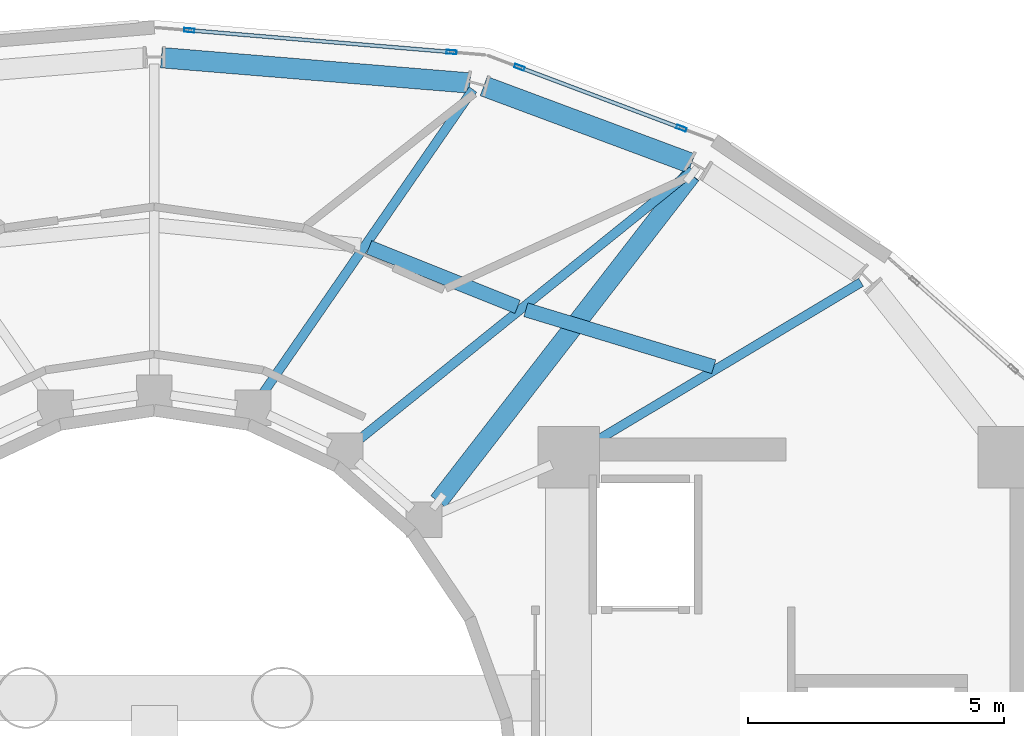
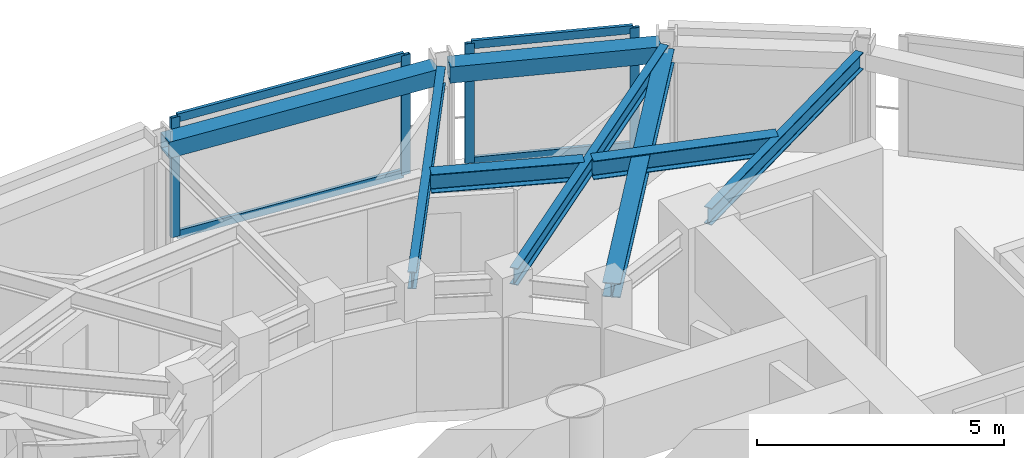
# One storey, part 11 of 17: 9 members, 7 beams, 2 elements without a shape of their own.
"""IFC4 building model written with IfcOpenShell, lengths in metres."""

import ifcopenshell
import ifcopenshell.guid

model = None  # the IFC model being written
_history = None  # IfcOwnerHistory: only IFC2X3 demands one
_inside = {}  # id of a spatial element -> (the spatial element, [elements in it])
_under = {}  # id of a project, library or spatial element -> (it, [spatial elements below it])
_declared = {}  # id of a project -> (the project, [libraries it declares])
_typed = {}  # id of a type object -> (the type object, [elements of that type])
_made_of = {}  # id of a material, layer set ... -> (it, [elements and type objects made of it])


def new_model(schema):
    """Start an empty IFC model of exactly this schema.

    Asked for "IFC4X3", IfcOpenShell would pick the latest addendum, in which some entities
    have other attributes; the version numbers below select the first issue.
    IFC2X3 requires an IfcOwnerHistory on every rooted entity: one is made here for all.
    """
    global model, _history
    if schema == "IFC4X3":
        model = ifcopenshell.file(schema_version=(4, 3, 0, 0))
    else:
        model = ifcopenshell.file(schema=schema)
    _inside.clear()
    _under.clear()
    _declared.clear()
    _typed.clear()
    _made_of.clear()
    _history = None
    if model.schema == "IFC2X3":
        org = make("IfcOrganization", Name="unknown")
        user = make(
            "IfcPersonAndOrganization",
            ThePerson=make("IfcPerson", FamilyName="unknown"),
            TheOrganization=org,
        )
        app = make(
            "IfcApplication",
            ApplicationDeveloper=org,
            Version="unknown",
            ApplicationFullName="unknown",
            ApplicationIdentifier="unknown",
        )
        _history = make(
            "IfcOwnerHistory",
            OwningUser=user,
            OwningApplication=app,
            ChangeAction="ADDED",
            CreationDate=0,
        )
    return model


def make(cls, **values):
    """One entity of the class cls with the attributes given. An attribute that is None is left unset."""
    return model.create_entity(
        cls, **{name: value for name, value in values.items() if value is not None}
    )


def rooted(cls, **values):
    """An entity with a GlobalId (a new one), such as an element, a storey or a relation."""
    return make(cls, GlobalId=ifcopenshell.guid.new(), OwnerHistory=_history, **values)


def si_unit(unit_type, name, prefix=None):
    """IfcSIUnit, for example si_unit("LENGTHUNIT", "METRE", prefix="MILLI")."""
    return make("IfcSIUnit", UnitType=unit_type, Prefix=prefix, Name=name)


def assignment(units):
    """IfcUnitAssignment: the units of a project."""
    return None if units is None else make("IfcUnitAssignment", Units=units)


def point(xyz):
    """IfcCartesianPoint."""
    return None if xyz is None else make("IfcCartesianPoint", Coordinates=xyz)


def direction(xyz):
    """IfcDirection."""
    return None if xyz is None else make("IfcDirection", DirectionRatios=xyz)


def frame(location, z_axis=None, x_axis=None):
    """IfcAxis2Placement3D, a coordinate frame: its origin and axes. An axis left out is left unset."""
    return make(
        "IfcAxis2Placement3D",
        Location=point(location),
        Axis=direction(z_axis),
        RefDirection=direction(x_axis),
    )


def frame_2d(location, x_axis=None):
    """IfcAxis2Placement2D, a coordinate frame in the plane: its origin and x axis."""
    return make(
        "IfcAxis2Placement2D", Location=point(location), RefDirection=direction(x_axis)
    )


def origin():
    """The frame at (0, 0, 0) with its axes left unset."""
    return frame((0.0, 0.0, 0.0))


def origin_2d():
    """The frame at (0, 0) in the plane with its x axis left unset."""
    return frame_2d((0.0, 0.0))


def place(relative_to, where):
    """IfcLocalPlacement: puts the frame where relative to a parent placement (None: the world)."""
    return make(
        "IfcLocalPlacement", PlacementRelTo=relative_to, RelativePlacement=where
    )


def context(
    kind, dimensions, precision=None, world=None, true_north=None, identifier=None
):
    """IfcGeometricRepresentationContext, for example the 3D "Model" context."""
    return make(
        "IfcGeometricRepresentationContext",
        ContextIdentifier=identifier,
        ContextType=kind,
        CoordinateSpaceDimension=dimensions,
        Precision=precision,
        WorldCoordinateSystem=world,
        TrueNorth=true_north,
    )


def subcontext(parent, identifier, kind, view, scale=None):
    """IfcGeometricRepresentationSubContext, for example "Body" below "Model"."""
    return make(
        "IfcGeometricRepresentationSubContext",
        ContextIdentifier=identifier,
        ContextType=kind,
        ParentContext=parent,
        TargetScale=scale,
        TargetView=view,
    )


def project(units=None, contexts=None):
    """IfcProject with its units and contexts."""
    return rooted(
        "IfcProject",
        Name="project",
        RepresentationContexts=contexts,
        UnitsInContext=assignment(units),
    )


def spatial(cls, under=None, at=None, **own):
    """A site, building, storey or space (cls), placed at a placement, below another one or the project."""
    s = rooted(cls, ObjectPlacement=at, **own)
    if under is not None:
        _under.setdefault(under.id(), (under, []))[1].append(s)
    return s


def profile(cls, at=None, kind="AREA", **sizes):
    """A parametric profile (cls). Its sizes go by their IFC names, for example OverallWidth=200.0."""
    return make(cls, ProfileType=kind, Position=at, **sizes)


def hollow_rectangle(**sizes):
    """IfcRectangleHollowProfileDef."""
    return profile("IfcRectangleHollowProfileDef", **sizes)


def i_section(**sizes):
    """IfcIShapeProfileDef."""
    return profile("IfcIShapeProfileDef", **sizes)


def extrude(swept, where, along, depth):
    """IfcExtrudedAreaSolid: the profile swept, set in the frame where, extruded along a direction by depth."""
    return make(
        "IfcExtrudedAreaSolid",
        SweptArea=swept,
        Position=where,
        ExtrudedDirection=direction(along),
        Depth=depth,
    )


def shape(context_of_items, identifier, shape_type, items):
    """IfcShapeRepresentation: the items that make up one representation, for example the "Body"."""
    return make(
        "IfcShapeRepresentation",
        ContextOfItems=context_of_items,
        RepresentationIdentifier=identifier,
        RepresentationType=shape_type,
        Items=items,
    )


def material(Name=None, Category=None):
    """IfcMaterial."""
    return make("IfcMaterial", Name=Name, Category=Category)


def layer(
    of_material, thickness, ventilated=None, Name=None, Category=None, Priority=None
):
    """IfcMaterialLayer: one layer of a wall or slab, of a material (None: an air gap)."""
    return make(
        "IfcMaterialLayer",
        Material=of_material,
        LayerThickness=thickness,
        IsVentilated=ventilated,
        Name=Name,
        Category=Category,
        Priority=Priority,
    )


def layer_set(layers, Name=None):
    """IfcMaterialLayerSet."""
    return make("IfcMaterialLayerSet", MaterialLayers=layers, LayerSetName=Name)


def material_profile(
    of_material, cross_section, Name=None, Category=None, Priority=None
):
    """IfcMaterialProfile: a cross section and its material."""
    return make(
        "IfcMaterialProfile",
        Name=Name,
        Material=of_material,
        Profile=cross_section,
        Priority=Priority,
        Category=Category,
    )


def profile_set(profiles, Name=None, composite=None):
    """IfcMaterialProfileSet."""
    return make(
        "IfcMaterialProfileSet",
        Name=Name,
        MaterialProfiles=profiles,
        CompositeProfile=composite,
    )


def made_of(thing, what):
    """Note that an element or type object is made of a material, layer set ...; save() writes the relation."""
    if what is not None:
        _made_of.setdefault(what.id(), (what, []))[1].append(thing)
    return thing


def type_object(cls, material=None, **own):
    """A type object (cls), such as IfcWallType, which elements share."""
    return made_of(rooted(cls, **own), material)


def element(
    cls,
    number,
    at=None,
    inside=None,
    cuts=None,
    type_object=None,
    material=None,
    context=None,
    identifier="Body",
    shape_type=None,
    held_by="IfcProductDefinitionShape",
    body=None,
    shapes=None,
    **own,
):
    """One element of the class cls, such as IfcWall. Its Tag is "e" and its number.

    at: its placement. inside: the storey or other place that contains it. cuts: it is an
    opening in that element (IfcRelVoidsElement). A single representation is given by context,
    identifier, shape_type and body (its items); several are given by shapes. held_by: the class
    of the entity that holds the representations. save() writes the other relations.
    """
    e = rooted(cls, Tag="e%d" % number, ObjectPlacement=at, **own)
    if body is not None:
        shapes = [shape(context, identifier, shape_type, body)]
    if shapes is not None:
        e.Representation = make(held_by, Representations=shapes)
    if inside is not None:
        _inside.setdefault(inside.id(), (inside, []))[1].append(e)
    if cuts is not None:
        rooted(
            "IfcRelVoidsElement", RelatingBuildingElement=cuts, RelatedOpeningElement=e
        )
    if type_object is not None:
        _typed.setdefault(type_object.id(), (type_object, []))[1].append(e)
    return made_of(e, material)


def aggregate(whole, parts):
    """IfcRelAggregates: a whole, such as a stair, and the parts it consists of."""
    return rooted("IfcRelAggregates", RelatingObject=whole, RelatedObjects=parts)


def save(model, path):
    """Write the relations noted so far, then the file.

    IfcRelAggregates (storeys below a building ...), IfcRelContainedInSpatialStructure (elements
    in a storey), IfcRelDefinesByType, IfcRelAssociatesMaterial and IfcRelDeclares: one each for
    every whole, place, type object, material and project.
    """
    for whole, parts in _under.values():
        aggregate(whole, parts)
    for where, things in _inside.values():
        rooted(
            "IfcRelContainedInSpatialStructure",
            RelatedElements=things,
            RelatingStructure=where,
        )
    for kind, things in _typed.values():
        rooted("IfcRelDefinesByType", RelatedObjects=things, RelatingType=kind)
    for what, things in _made_of.values():
        rooted("IfcRelAssociatesMaterial", RelatedObjects=things, RelatingMaterial=what)
    for by, libraries in _declared.values():
        rooted("IfcRelDeclares", RelatingContext=by, RelatedDefinitions=libraries)
    model.write(path)


model = new_model("IFC4")

# Units and contexts
model_context = context("Model", 3, precision=1e-05, world=origin(), true_north=direction((0.0, 1.0)))
body_context = subcontext(model_context, "Body", "Model", "MODEL_VIEW")
ifc_project = project(units=[si_unit("LENGTHUNIT", "METRE"), si_unit("AREAUNIT", "SQUARE_METRE"), si_unit("VOLUMEUNIT", "CUBIC_METRE"), si_unit("PLANEANGLEUNIT", "RADIAN"), si_unit("MASSUNIT", "GRAM", prefix="KILO")], contexts=[model_context])

# Site, building, storey
site_placement = place(None, origin())
site = spatial("IfcSite", under=ifc_project, at=site_placement, CompositionType="ELEMENT")
building_placement = place(site_placement, origin())
building = spatial("IfcBuilding", under=site, at=building_placement, Name="Solvane Sanctuary Tower", CompositionType="ELEMENT")
storey_placement = place(building_placement, frame((0.0, 0.0, 276.39990234375)))
storey = spatial("IfcBuildingStorey", under=building, at=storey_placement, Name="L84", CompositionType="ELEMENT", Elevation=276.39990234375)

# Beams
ifc_material_1 = material(Name="Steel ASTM A913 Grade 65", Category="steel")
ifc_material_profile_1 = material_profile(ifc_material_1, hollow_rectangle(XDim=0.39990234375, YDim=0.39990234375, WallThickness=0.01611328125, at=origin_2d()), Name="HSS400X400X16")
ifc_profile_set_1 = profile_set([ifc_material_profile_1], Name="Steel ASTM A913 Grade 65")
beam_type_1 = type_object("IfcBeamType", Name="Beam B-CROWN-CAP HSS400X400X16", PredefinedType="T_BEAM", material=ifc_profile_set_1)
beam_1_placement = place(storey_placement, frame((32.139404296875, 38.013427734375, 2.748046875), z_axis=(0.996632319823, -0.082000116366, 0.0), x_axis=(0.082000116366, 0.996632319823, 0.0)))
element("IfcBeam", 1, at=beam_1_placement, inside=storey, type_object=beam_type_1, Name="L84 Perimeter Spandrel Beam TC04-TC03", PredefinedType="T_BEAM", context=body_context, shape_type="SweptSolid", body=[
    extrude(hollow_rectangle(XDim=0.39990234375, YDim=0.39990234375, WallThickness=0.01611328125, at=origin_2d()), origin(), (0.0, 0.0, 1.0), 6.0498046875),
])
beam_2_placement = place(storey_placement, frame((38.439697265625, 37.45703125, 2.748046875), z_axis=(0.937063322724, -0.349159460998, 0.0), x_axis=(0.349159460998, 0.937063322724, 0.0)))
element("IfcBeam", 2, at=beam_2_placement, inside=storey, type_object=beam_type_1, Name="L84 Perimeter Spandrel Beam TC03-TC02", PredefinedType="T_BEAM", context=body_context, shape_type="SweptSolid", body=[
    extrude(hollow_rectangle(XDim=0.39990234375, YDim=0.39990234375, WallThickness=0.01611328125, at=origin_2d()), origin(), (0.0, 0.0, 1.0), 4.333740234375),
])
ifc_material_2 = material(Name="Steel ASTM A992 Grade 50", Category="steel")
ifc_material_profile_2 = material_profile(ifc_material_2, i_section(OverallWidth=0.180908203125, OverallDepth=0.4169921875, WebThickness=0.010986328125, FlangeThickness=0.018310546875, FilletRadius=0.012939453125, at=origin_2d()), Name="W16X57")
ifc_profile_set_2 = profile_set([ifc_material_profile_2], Name="Steel ASTM A992 Grade 50")
beam_type_2 = type_object("IfcBeamType", Name="Beam B-ROOF-BM W16X57", PredefinedType="BEAM", material=ifc_profile_set_2)
beam_3_placement = place(storey_placement, frame((40.408935546875, 30.385009765625, 2.739501953125), z_axis=(0.858001930559, 0.513646461252, 0.0), x_axis=(-0.513646461252, 0.858001930559, 0.0)))
element("IfcBeam", 3, at=beam_3_placement, inside=storey, type_object=beam_type_2, Name="L84 Radial Composite Floor Beam 01", PredefinedType="BEAM", context=body_context, shape_type="SweptSolid", body=[
    extrude(i_section(OverallWidth=0.180908203125, OverallDepth=0.4169921875, WebThickness=0.010986328125, FlangeThickness=0.018310546875, FilletRadius=0.012939453125, at=origin_2d()), origin(), (0.0, 0.0, 1.0), 6.30078125),
])
beam_4_placement = place(storey_placement, frame((35.947998046875, 30.50244140625, 2.739501953125), z_axis=(0.778293673561, 0.627900436132, 0.0), x_axis=(-0.627900436132, 0.778293673561, 0.0)))
element("IfcBeam", 4, at=beam_4_placement, inside=storey, type_object=beam_type_2, Name="L84 Radial Composite Floor Beam 02", PredefinedType="BEAM", context=body_context, shape_type="SweptSolid", body=[
    extrude(i_section(OverallWidth=0.180908203125, OverallDepth=0.4169921875, WebThickness=0.010986328125, FlangeThickness=0.018310546875, FilletRadius=0.012939453125, at=origin_2d()), origin(), (0.0, 0.0, 1.0), 8.447998046875),
])
beam_5_placement = place(storey_placement, frame((34.090087890625, 31.402099609375, 2.739501953125), z_axis=(0.568538355694, 0.822656755947, 0.0), x_axis=(-0.822656755947, 0.568538355694, 0.0)))
element("IfcBeam", 5, at=beam_5_placement, inside=storey, type_object=beam_type_2, Name="L84 Radial Composite Floor Beam 03", PredefinedType="BEAM", context=body_context, shape_type="SweptSolid", body=[
    extrude(i_section(OverallWidth=0.180908203125, OverallDepth=0.4169921875, WebThickness=0.010986328125, FlangeThickness=0.018310546875, FilletRadius=0.012939453125, at=origin_2d()), origin(), (0.0, 0.0, 1.0), 7.279541015625),
])
ifc_material_profile_3 = material_profile(ifc_material_2, i_section(OverallWidth=0.280029296875, OverallDepth=0.462890625, WebThickness=0.0107421875, FlangeThickness=0.017333984375, FilletRadius=0.013916015625, at=origin_2d()), Name="W18X76")
ifc_profile_set_3 = profile_set([ifc_material_profile_3], Name="Steel ASTM A992 Grade 50")
beam_type_3 = type_object("IfcBeamType", Name="Beam B-SEC-JOIST W18X76", PredefinedType="JOIST", material=ifc_profile_set_3)
beam_6_placement = place(storey_placement, frame((36.198974609375, 34.306884765625, 2.716552734375), z_axis=(0.928115538523, -0.372292287258, 0.0), x_axis=(0.372292287258, 0.928115538523, 0.0)))
element("IfcBeam", 6, at=beam_6_placement, inside=storey, type_object=beam_type_3, Name="L84 Secondary Circumferential Joist 03-02", PredefinedType="JOIST", context=body_context, shape_type="SweptSolid", body=[
    extrude(i_section(OverallWidth=0.280029296875, OverallDepth=0.462890625, WebThickness=0.0107421875, FlangeThickness=0.017333984375, FilletRadius=0.013916015625, at=origin_2d()), origin(), (0.0, 0.0, 1.0), 3.12744140625),
])
beam_7_placement = place(storey_placement, frame((39.2626953125, 33.0859375, 2.716552734375), z_axis=(0.95692003006, -0.290351607659, 0.0), x_axis=(0.290351607659, 0.95692003006, 0.0)))
element("IfcBeam", 7, at=beam_7_placement, inside=storey, type_object=beam_type_3, Name="L84 Secondary Circumferential Joist 02-01", PredefinedType="JOIST", context=body_context, shape_type="SweptSolid", body=[
    extrude(i_section(OverallWidth=0.280029296875, OverallDepth=0.462890625, WebThickness=0.0107421875, FlangeThickness=0.017333984375, FilletRadius=0.013916015625, at=origin_2d()), origin(), (0.0, 0.0, 1.0), 3.83837890625),
])

# Member
ifc_material_profile_4 = material_profile(ifc_material_2, i_section(OverallWidth=0.368896484375, OverallDepth=0.35595703125, WebThickness=0.01123046875, FlangeThickness=0.01806640625, FilletRadius=0.02490234375, at=origin_2d()), Name="W14X90")
ifc_profile_set_4 = profile_set([ifc_material_profile_4], Name="Steel ASTM A992 Grade 50")
member_type_1 = type_object("IfcMemberType", Name="Member M-CROWN-TIE W14X90", PredefinedType="CHORD", material=ifc_profile_set_4)
member_1_placement = place(storey_placement, frame((37.55224609375, 29.33984375, 2.541015625), z_axis=(0.612365021511, 0.790210815517, 0.023998905581), x_axis=(-0.790438473821, 0.612541442764, 0.0)))
element("IfcMember", 8, at=member_1_placement, inside=storey, type_object=member_type_1, Name="L84 Crown Bracing Tie 01", PredefinedType="CHORD", context=body_context, shape_type="SweptSolid", body=[
    extrude(i_section(OverallWidth=0.368896484375, OverallDepth=0.35595703125, WebThickness=0.01123046875, FlangeThickness=0.01806640625, FilletRadius=0.02490234375, at=origin_2d()), origin(), (0.0, 0.0, 1.0), 8.077392578125),
])

# Curtain wall, members
ifc_material_3 = material(Name="Anodised Aluminium 6063-T6", Category="aluminium")
ifc_layer = layer(ifc_material_3, 0.219970703125, Name="Anodised Aluminium 6063-T6")
ifc_layer_set = layer_set([ifc_layer], Name="Anodised Aluminium 6063-T6")
curtain_wall_type = type_object("IfcCurtainWallType", Name="Curtain Wall CW-CROWN", PredefinedType="NOTDEFINED", material=ifc_layer_set)
curtain_wall_1_placement = place(storey_placement, origin())
curtain_wall_1 = element("IfcCurtainWall", 9, at=curtain_wall_1_placement, inside=storey, type_object=curtain_wall_type, Name="L84 Crown Fritted Lantern Curtain Wall 04", PredefinedType="NOTDEFINED")
ifc_material_profile_5 = material_profile(ifc_material_3, hollow_rectangle(XDim=0.074951171875, YDim=0.199951171875, WallThickness=0.00390625, at=origin_2d()), Name="ALU200X75X4")
ifc_profile_set_5 = profile_set([ifc_material_profile_5], Name="Anodised Aluminium 6063-T6")
member_type_2 = type_object("IfcMemberType", Name="Member M-CW-MUL-1 ALU200X75X4", PredefinedType="MULLION", material=ifc_profile_set_5)
member_2_placement = place(storey_placement, frame((42.303466796875, 36.634521484375, 0.0), z_axis=(0.0, 0.0, 1.0), x_axis=(-0.351811483483, -0.936070873433, 0.0)))
member_2 = element("IfcMember", 10, at=member_2_placement, type_object=member_type_2, Name="CW-CROWN mullion 1", PredefinedType="MULLION", context=body_context, shape_type="SweptSolid", body=[
    extrude(hollow_rectangle(XDim=0.074951171875, YDim=0.199951171875, WallThickness=0.00390625, at=origin_2d()), origin(), (0.0, 0.0, 1.0), 2.9501953125),
])
member_3_placement = place(storey_placement, frame((39.138916015625, 37.823974609375, 0.0), z_axis=(0.0, 0.0, 1.0), x_axis=(-0.351811483483, -0.936070873433, 0.0)))
member_3 = element("IfcMember", 11, at=member_3_placement, type_object=member_type_2, Name="CW-CROWN mullion 2", PredefinedType="MULLION", context=body_context, shape_type="SweptSolid", body=[
    extrude(hollow_rectangle(XDim=0.074951171875, YDim=0.199951171875, WallThickness=0.00390625, at=origin_2d()), origin(), (0.0, 0.0, 1.0), 2.9501953125),
])

curtain_wall_2_placement = place(storey_placement, origin())
curtain_wall_2 = element("IfcCurtainWall", 12, at=curtain_wall_2_placement, inside=storey, type_object=curtain_wall_type, Name="L84 Crown Fritted Lantern Curtain Wall 05", PredefinedType="NOTDEFINED")
member_4_placement = place(storey_placement, frame((37.81005859375, 38.122802734375, 0.0), z_axis=(0.0, 0.0, 1.0), x_axis=(-0.082720314892, -0.996572801909, 0.0)))
member_4 = element("IfcMember", 13, at=member_4_placement, type_object=member_type_2, Name="CW-CROWN mullion 1", PredefinedType="MULLION", context=body_context, shape_type="SweptSolid", body=[
    extrude(hollow_rectangle(XDim=0.074951171875, YDim=0.199951171875, WallThickness=0.00390625, at=origin_2d()), origin(), (0.0, 0.0, 1.0), 2.9501953125),
])
member_5_placement = place(storey_placement, frame((32.68505859375, 38.548095703125, 0.0), z_axis=(0.0, 0.0, 1.0), x_axis=(-0.082720314892, -0.996572801909, 0.0)))
member_5 = element("IfcMember", 14, at=member_5_placement, type_object=member_type_2, Name="CW-CROWN mullion 2", PredefinedType="MULLION", context=body_context, shape_type="SweptSolid", body=[
    extrude(hollow_rectangle(XDim=0.074951171875, YDim=0.199951171875, WallThickness=0.00390625, at=origin_2d()), origin(), (0.0, 0.0, 1.0), 2.9501953125),
])

# Member
ifc_material_profile_6 = material_profile(ifc_material_3, hollow_rectangle(XDim=0.074951171875, YDim=0.199951171875, WallThickness=0.00390625, at=origin_2d()), Name="ALU200X75X4")
ifc_profile_set_6 = profile_set([ifc_material_profile_6], Name="Anodised Aluminium 6063-T6")
member_type_3 = type_object("IfcMemberType", Name="Member M-CW-TRN-2 ALU200X75X4", PredefinedType="USERDEFINED", material=ifc_profile_set_6)
member_6_placement = place(storey_placement, frame((42.268310546875, 36.647705078125, 0.03759765625), z_axis=(-0.936064869235, 0.351827458543, 0.0), x_axis=(-0.351827458543, -0.936064869235, 0.0)))
member_6 = element("IfcMember", 15, at=member_6_placement, type_object=member_type_3, Name="CW-CROWN transom 1.1", ObjectType="TRANSOM", PredefinedType="USERDEFINED", context=body_context, shape_type="SweptSolid", body=[
    extrude(hollow_rectangle(XDim=0.074951171875, YDim=0.199951171875, WallThickness=0.00390625, at=origin_2d()), origin(), (0.0, 0.0, 1.0), 3.305908203125),
])

member_7_placement = place(storey_placement, frame((42.268310546875, 36.647705078125, 2.91259765625), z_axis=(-0.936064869235, 0.351827458543, 0.0), x_axis=(-0.351827458543, -0.936064869235, 0.0)))
member_7 = element("IfcMember", 16, at=member_7_placement, type_object=member_type_3, Name="CW-CROWN transom 1.2", ObjectType="TRANSOM", PredefinedType="USERDEFINED", context=body_context, shape_type="SweptSolid", body=[
    extrude(hollow_rectangle(XDim=0.074951171875, YDim=0.199951171875, WallThickness=0.00390625, at=origin_2d()), origin(), (0.0, 0.0, 1.0), 3.305908203125),
])

aggregate(curtain_wall_1, [member_2, member_3, member_6, member_7])

member_8_placement = place(storey_placement, frame((37.772705078125, 38.125732421875, 0.03759765625), z_axis=(-0.996572619428, 0.082722513297, 0.0), x_axis=(-0.082722513297, -0.996572619428, 0.0)))
member_8 = element("IfcMember", 17, at=member_8_placement, type_object=member_type_3, Name="CW-CROWN transom 1.1", ObjectType="TRANSOM", PredefinedType="USERDEFINED", context=body_context, shape_type="SweptSolid", body=[
    extrude(hollow_rectangle(XDim=0.074951171875, YDim=0.199951171875, WallThickness=0.00390625, at=origin_2d()), origin(), (0.0, 0.0, 1.0), 5.0673828125),
])

member_9_placement = place(storey_placement, frame((37.772705078125, 38.125732421875, 2.91259765625), z_axis=(-0.996572619428, 0.082722513297, 0.0), x_axis=(-0.082722513297, -0.996572619428, 0.0)))
member_9 = element("IfcMember", 18, at=member_9_placement, type_object=member_type_3, Name="CW-CROWN transom 1.2", ObjectType="TRANSOM", PredefinedType="USERDEFINED", context=body_context, shape_type="SweptSolid", body=[
    extrude(hollow_rectangle(XDim=0.074951171875, YDim=0.199951171875, WallThickness=0.00390625, at=origin_2d()), origin(), (0.0, 0.0, 1.0), 5.0673828125),
])

aggregate(curtain_wall_2, [member_4, member_5, member_8, member_9])

save(model, "model.ifc")
